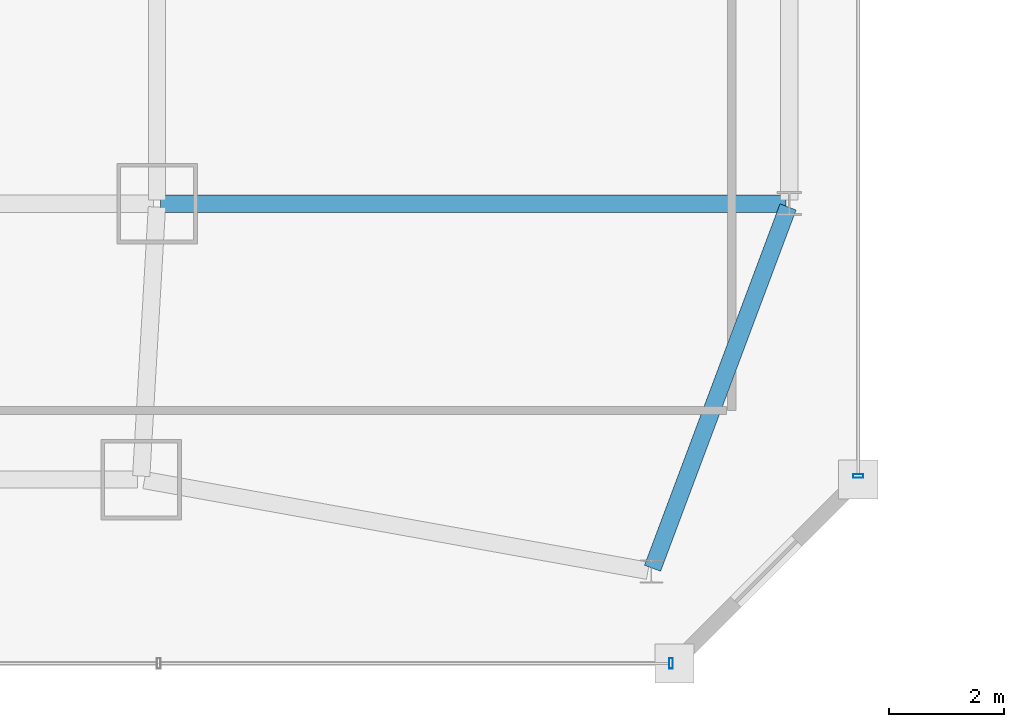
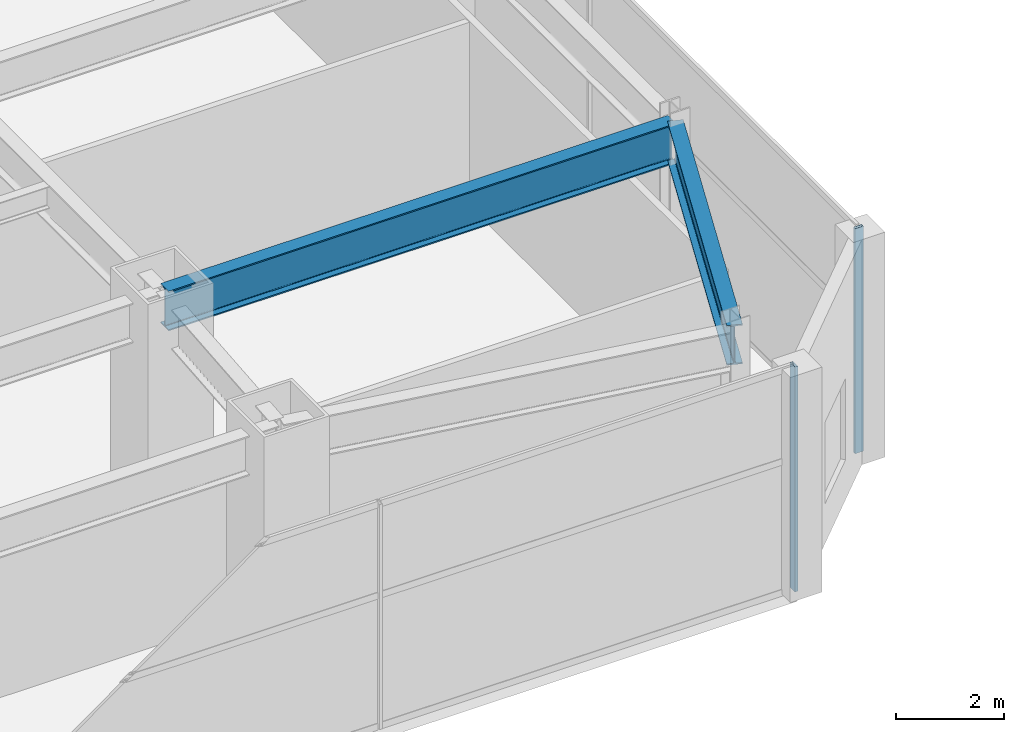
# One storey, part 17 of 52: 2 beams, 2 members, 2 elements without a shape of their own.
"""IFC4 building model written with IfcOpenShell, lengths in metres."""

from ifc_helpers import new_model, si_unit, direction, frame, origin, origin_2d, place, context, subcontext, project, spatial, hollow_rectangle, i_section, extrude, material, material_profile, profile_set, type_object, element, aggregate, save


model = new_model("IFC4")

# Units and contexts
model_context = context("Model", 3, precision=1e-05, world=origin(), true_north=direction((0.0, 1.0)))
body_context = subcontext(model_context, "Body", "Model", "MODEL_VIEW")
ifc_project = project(units=[si_unit("LENGTHUNIT", "METRE"), si_unit("AREAUNIT", "SQUARE_METRE"), si_unit("VOLUMEUNIT", "CUBIC_METRE"), si_unit("PLANEANGLEUNIT", "RADIAN"), si_unit("MASSUNIT", "GRAM", prefix="KILO")], contexts=[model_context])

# Site, building, storey
site_placement = place(None, origin())
site = spatial("IfcSite", under=ifc_project, at=site_placement, CompositionType="ELEMENT")
building_placement = place(site_placement, origin())
building = spatial("IfcBuilding", under=site, at=building_placement, Name="Saevonmaru Cultural Tower", CompositionType="ELEMENT")
storey_placement = place(building_placement, frame((0.0, 0.0, 16.800048828125)))
storey = spatial("IfcBuildingStorey", under=building, at=storey_placement, Name="L03", CompositionType="ELEMENT", Elevation=16.800048828125)

# Beams
ifc_material_1 = material(Name="Steel SM420", Category="steel")
ifc_material_profile_1 = material_profile(ifc_material_1, i_section(OverallWidth=0.300048828125, OverallDepth=0.89990234375, WebThickness=0.01611328125, FlangeThickness=0.028076171875, FilletRadius=0.028076171875, at=origin_2d()), Name="H-900x300x16x28")
ifc_profile_set_1 = profile_set([ifc_material_profile_1], Name="Steel SM420")
beam_type = type_object("IfcBeamType", Name="BM-G-H900", PredefinedType="BEAM", material=ifc_profile_set_1)
beam_1_placement = place(storey_placement, frame((47.860107421875, 8.0, 4.64990234375), z_axis=(1.0, 0.0, 0.0), x_axis=(0.0, 1.0, 0.0)))
element("IfcBeam", 1, at=beam_1_placement, inside=storey, type_object=beam_type, Name="BM-POD-OE-1-L03", PredefinedType="BEAM", context=body_context, shape_type="SweptSolid", body=[
    extrude(i_section(OverallWidth=0.300048828125, OverallDepth=0.89990234375, WebThickness=0.01611328125, FlangeThickness=0.028076171875, FilletRadius=0.028076171875, at=origin_2d()), origin(), (0.0, 0.0, 1.0), 10.8798828125),
])
beam_2_placement = place(storey_placement, frame((56.421142578125, 1.65625, 4.64990234375), z_axis=(0.351099535502, 0.936338142003, 0.0), x_axis=(-0.936338142003, 0.351099535502, 0.0)))
element("IfcBeam", 2, at=beam_2_placement, inside=storey, type_object=beam_type, Name="BM-POD-PS-4-L03", PredefinedType="BEAM", context=body_context, shape_type="SweptSolid", body=[
    extrude(i_section(OverallWidth=0.300048828125, OverallDepth=0.89990234375, WebThickness=0.01611328125, FlangeThickness=0.028076171875, FilletRadius=0.028076171875, at=origin_2d()), origin(), (0.0, 0.0, 1.0), 6.715087890625),
])

# Curtain wall, member
ifc_material_2 = material(Name="Satin Bronze Anodised Aluminium", Category="aluminium")
curtain_wall_type = type_object("IfcCurtainWallType", Name="CW-POD-GLZ", PredefinedType="NOTDEFINED", material=ifc_material_2)
curtain_wall_1_placement = place(storey_placement, origin())
curtain_wall_1 = element("IfcCurtainWall", 3, at=curtain_wall_1_placement, inside=storey, type_object=curtain_wall_type, Name="L03 South Grand Foyer Curtain Wall", PredefinedType="NOTDEFINED")
ifc_material_profile_2 = material_profile(ifc_material_2, hollow_rectangle(XDim=0.06494140625, YDim=0.179931640625, WallThickness=0.00390625, at=origin_2d()), Name="ALU-MULL-180x65x4")
ifc_profile_set_2 = profile_set([ifc_material_profile_2], Name="Satin Bronze Anodised Aluminium")
member_type = type_object("IfcMemberType", Name="ML-CW-180x65", PredefinedType="MULLION", material=ifc_profile_set_2)
member_1_placement = place(storey_placement, frame((56.739990234375, 0.0, 0.0), z_axis=(0.0, 0.0, 1.0), x_axis=(1.0, 0.0, 0.0)))
member_1 = element("IfcMember", 4, at=member_1_placement, type_object=member_type, Name="CW-POD-S-L03 mullion 7", PredefinedType="MULLION", context=body_context, shape_type="SweptSolid", body=[
    extrude(hollow_rectangle(XDim=0.06494140625, YDim=0.179931640625, WallThickness=0.00390625, at=origin_2d()), origin(), (0.0, 0.0, 1.0), 5.099853515625),
])
aggregate(curtain_wall_1, [member_1])

curtain_wall_2_placement = place(storey_placement, origin())
curtain_wall_2 = element("IfcCurtainWall", 5, at=curtain_wall_2_placement, inside=storey, type_object=curtain_wall_type, Name="L03 Saevon Plaza Curtain Wall", PredefinedType="NOTDEFINED")
member_2_placement = place(storey_placement, frame((60.0, 3.260009765625, 0.0), z_axis=(0.0, 0.0, 1.0), x_axis=(0.0, 1.0, 0.0)))
member_2 = element("IfcMember", 6, at=member_2_placement, type_object=member_type, Name="CW-POD-E-L03 mullion 1", PredefinedType="MULLION", context=body_context, shape_type="SweptSolid", body=[
    extrude(hollow_rectangle(XDim=0.06494140625, YDim=0.179931640625, WallThickness=0.00390625, at=origin_2d()), origin(), (0.0, 0.0, 1.0), 5.099853515625),
])
aggregate(curtain_wall_2, [member_2])

save(model, "model.ifc")
